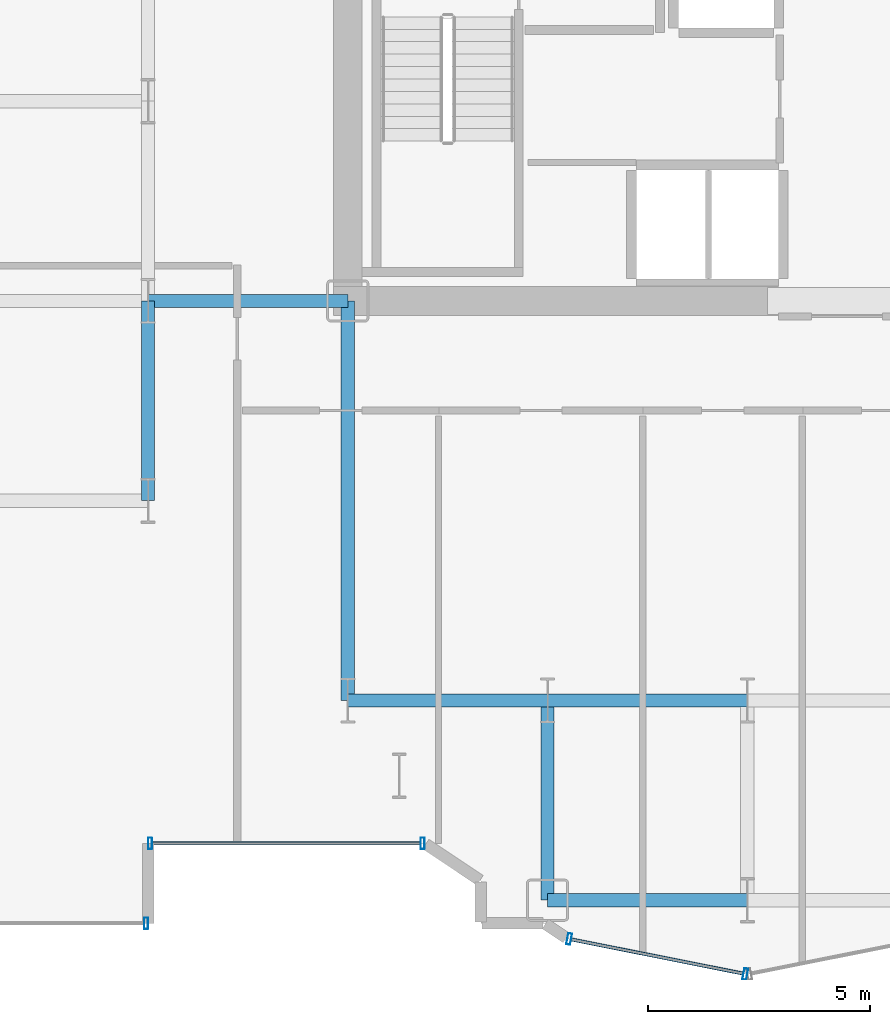
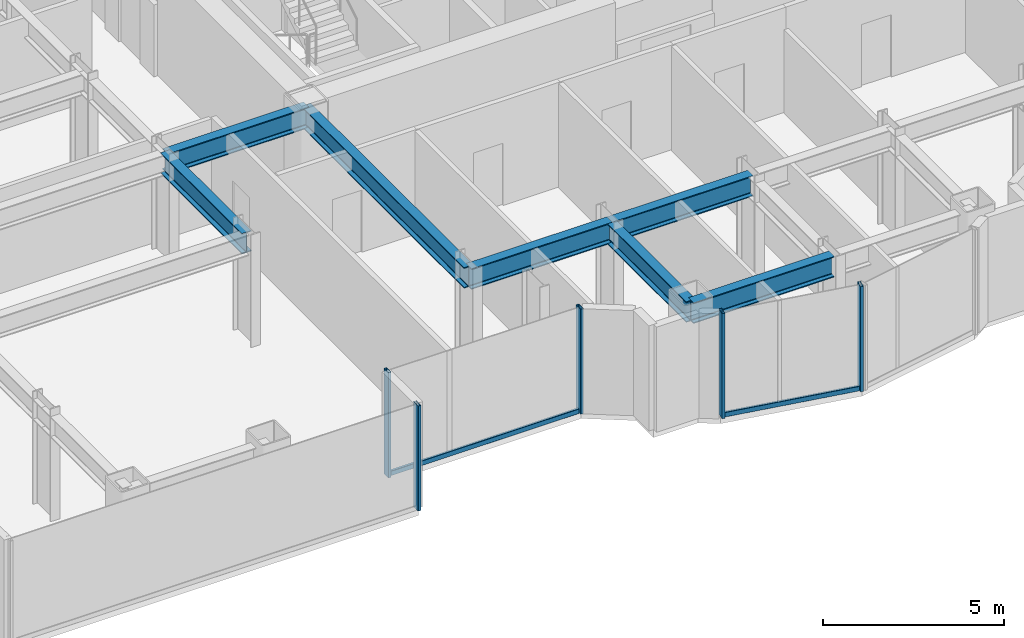
# One storey, part 4 of 26: 7 beams, 7 members, 3 elements without a shape of their own.
"""IFC4 building model written with IfcOpenShell, lengths in metres."""

from ifc_helpers import new_model, si_unit, direction, frame, origin, origin_2d, place, context, subcontext, project, spatial, hollow_rectangle, i_section, extrude, source, transform, mapped, material, layer, layer_set, material_profile, profile_set, type_object, element, aggregate, save


model = new_model("IFC4")

# Units and contexts
model_context = context("Model", 3, precision=1e-05, world=origin(), true_north=direction((0.0, 1.0)))
body_context = subcontext(model_context, "Body", "Model", "MODEL_VIEW")
ifc_project = project(units=[si_unit("LENGTHUNIT", "METRE"), si_unit("AREAUNIT", "SQUARE_METRE"), si_unit("VOLUMEUNIT", "CUBIC_METRE"), si_unit("PLANEANGLEUNIT", "RADIAN"), si_unit("MASSUNIT", "GRAM", prefix="KILO")], contexts=[model_context])

# Site, building, storey
site_placement = place(None, origin())
site = spatial("IfcSite", under=ifc_project, at=site_placement, CompositionType="ELEMENT")
building_placement = place(site_placement, origin())
building = spatial("IfcBuilding", under=site, at=building_placement, Name="Nefas-Gora Pilgrimage Tower", CompositionType="ELEMENT")
storey_placement = place(building_placement, frame((0.0, 0.0, 36.800048828125)))
storey = spatial("IfcBuildingStorey", under=building, at=storey_placement, Name="L07", CompositionType="ELEMENT", Elevation=36.800048828125)

# Beams
ifc_material_1 = material(Name="Steel S355", Category="steel")
ifc_material_profile_1 = material_profile(ifc_material_1, i_section(OverallWidth=0.300048828125, OverallDepth=0.699951171875, WebThickness=0.01708984375, FlangeThickness=0.031982421875, FilletRadius=0.027099609375, at=origin_2d()), Name="HEB 700")
ifc_profile_set_1 = profile_set([ifc_material_profile_1], Name="Steel S355")
beam_type = type_object("IfcBeamType", Name="BM-GIR-HEB700", PredefinedType="BEAM", material=ifc_profile_set_1)
shared_shape_1 = source(origin(), body_context, "Body", "SweptSolid", [
    extrude(i_section(OverallWidth=0.300048828125, OverallDepth=0.699951171875, WebThickness=0.01708984375, FlangeThickness=0.031982421875, FilletRadius=0.027099609375, at=origin_2d()), origin(), (0.0, 0.0, 1.0), 9.0),
])
beam_placement = place(storey_placement, frame((-11.25, -18.0, 3.199951171875), z_axis=(0.0, 1.0, 0.0), x_axis=(-1.0, 0.0, 0.0)))
element("IfcBeam", 1, at=beam_placement, inside=storey, type_object=beam_type, Name="L07 G-02 beam", PredefinedType="BEAM", context=body_context, shape_type="MappedRepresentation", body=[
    mapped(shared_shape_1, transform((0.0, 0.0, 0.0), x_axis=(1.0, 0.0, 0.0), y_axis=(0.0, 1.0, 0.0), z_axis=(0.0, 0.0, 1.0), scale=1.0)),
])
shared_shape_2 = source(origin(), body_context, "Body", "SweptSolid", [
    extrude(i_section(OverallWidth=0.300048828125, OverallDepth=0.699951171875, WebThickness=0.01708984375, FlangeThickness=0.031982421875, FilletRadius=0.027099609375, at=origin_2d()), origin(), (0.0, 0.0, 1.0), 4.5),
])
for number, where, z_axis, x_axis, name in (
    (2, (-15.75, -13.5, 3.199951171875), (0.0, 1.0, 0.0), (-1.0, 0.0, 0.0), "L07 G-02 beam"),
    (3, (-15.75, -9.0, 3.199951171875), (1.0, 0.0, 0.0), (0.0, 1.0, 0.0), "L07 G-02 beam"),
    (4, (-11.25, -18.0, 3.199951171875), (1.0, 0.0, 0.0), (0.0, 1.0, 0.0), "L07 G-02 beam"),
    (5, (-6.75, -22.5, 3.199951171875), (0.0, 1.0, 0.0), (-1.0, 0.0, 0.0), "L07 G-02 beam"),
    (6, (-6.75, -22.5, 3.199951171875), (1.0, 0.0, 0.0), (0.0, 1.0, 0.0), "L07 G-02 beam"),
    (7, (-6.75, -18.0, 3.199951171875), (1.0, 0.0, 0.0), (0.0, 1.0, 0.0), "L07 G-02 beam"),
):
    element("IfcBeam", number, at=place(storey_placement, frame(where, z_axis=z_axis, x_axis=x_axis)), inside=storey, type_object=beam_type, Name=name, PredefinedType="BEAM", context=body_context, shape_type="MappedRepresentation", body=[
        mapped(shared_shape_2, transform((0.0, 0.0, 0.0), x_axis=(1.0, 0.0, 0.0), y_axis=(0.0, 1.0, 0.0), z_axis=(0.0, 0.0, 1.0), scale=1.0)),
    ])

# Curtain wall, members
ifc_material_2 = material(Name="Dark ceramic-fritted solar-control aluminium-glass curtain wall", Category="aluminium")
ifc_layer_1 = layer(ifc_material_2, 0.219970703125)
ifc_layer_set_1 = layer_set([ifc_layer_1], Name="Dark ceramic-fritted solar-control aluminium-glass curtain wall")
curtain_wall_type_1 = type_object("IfcCurtainWallType", Name="CW-SYS-5", PredefinedType="NOTDEFINED", material=ifc_layer_set_1)
curtain_wall_1_placement = place(storey_placement, origin())
curtain_wall_1 = element("IfcCurtainWall", 8, at=curtain_wall_1_placement, inside=storey, type_object=curtain_wall_type_1, Name="L07 Unitised Curtain Wall CW5", PredefinedType="NOTDEFINED")
ifc_material_3 = material(Name="Anodised architectural aluminium", Category="aluminium")
ifc_material_profile_2 = material_profile(ifc_material_3, hollow_rectangle(XDim=0.090087890625, YDim=0.260009765625, WallThickness=0.006103515625, InnerFilletRadius=0.006103515625, OuterFilletRadius=0.011962890625, at=origin_2d()), Name="ALU MULLION 90x260")
ifc_profile_set_2 = profile_set([ifc_material_profile_2], Name="Anodised architectural aluminium")
member_type_1 = type_object("IfcMemberType", Name="CWM-MUL-5", PredefinedType="MULLION", material=ifc_profile_set_2)
shared_shape_3 = source(origin(), body_context, "Body", "SweptSolid", [
    extrude(hollow_rectangle(XDim=0.090087890625, YDim=0.260009765625, WallThickness=0.006103515625, InnerFilletRadius=0.006103515625, OuterFilletRadius=0.011962890625, at=origin_2d()), origin(), (0.0, 0.0, 1.0), 3.550048828125),
])
member_1_placement = place(storey_placement, frame((-15.705078125, -21.219970703125, 0.0), z_axis=(0.0, 0.0, 1.0), x_axis=(1.0, 0.0, 0.0)))
member_1 = element("IfcMember", 9, at=member_1_placement, type_object=member_type_1, Name="CW5 Mullion 1", PredefinedType="MULLION", context=body_context, shape_type="MappedRepresentation", body=[
    mapped(shared_shape_3, transform((0.0, 0.0, 0.0), x_axis=(1.0, 0.0, 0.0), y_axis=(0.0, 1.0, 0.0), z_axis=(0.0, 0.0, 1.0), scale=1.0)),
])
member_2_placement = place(storey_placement, frame((-9.56298828125, -21.219970703125, 0.0), z_axis=(0.0, 0.0, 1.0), x_axis=(1.0, 0.0, 0.0)))
member_2 = element("IfcMember", 10, at=member_2_placement, type_object=member_type_1, Name="CW5 Mullion 2", PredefinedType="MULLION", context=body_context, shape_type="MappedRepresentation", body=[
    mapped(shared_shape_3, transform((0.0, 0.0, 0.0), x_axis=(1.0, 0.0, 0.0), y_axis=(0.0, 1.0, 0.0), z_axis=(0.0, 0.0, 1.0), scale=1.0)),
])

curtain_wall_2_placement = place(storey_placement, origin())
curtain_wall_2 = element("IfcCurtainWall", 11, at=curtain_wall_2_placement, inside=storey, type_object=curtain_wall_type_1, Name="L07 Unitised Curtain Wall CW5", PredefinedType="NOTDEFINED")
member_3_placement = place(storey_placement, frame((-6.26318359375, -23.3740234375, 0.0), z_axis=(0.0, 0.0, 1.0), x_axis=(0.980782896852, -0.195102304554, 0.0)))
member_3 = element("IfcMember", 12, at=member_3_placement, type_object=member_type_1, Name="CW5 Mullion 1", PredefinedType="MULLION", context=body_context, shape_type="MappedRepresentation", body=[
    mapped(shared_shape_3, transform((0.0, 0.0, 0.0), x_axis=(1.0, 0.0, 0.0), y_axis=(0.0, 1.0, 0.0), z_axis=(0.0, 0.0, 1.0), scale=1.0)),
])
member_4_placement = place(storey_placement, frame((-2.294189453125, -24.16357421875, 0.0), z_axis=(0.0, 0.0, 1.0), x_axis=(0.980782896852, -0.195102304554, 0.0)))
member_4 = element("IfcMember", 13, at=member_4_placement, type_object=member_type_1, Name="CW5 Mullion 2", PredefinedType="MULLION", context=body_context, shape_type="MappedRepresentation", body=[
    mapped(shared_shape_3, transform((0.0, 0.0, 0.0), x_axis=(1.0, 0.0, 0.0), y_axis=(0.0, 1.0, 0.0), z_axis=(0.0, 0.0, 1.0), scale=1.0)),
])

# Member
ifc_material_profile_3 = material_profile(ifc_material_3, hollow_rectangle(XDim=0.080078125, YDim=0.159912109375, WallThickness=0.00439453125, InnerFilletRadius=0.00439453125, OuterFilletRadius=0.009033203125, at=origin_2d()), Name="ALU TRANSOM 80x160")
ifc_profile_set_3 = profile_set([ifc_material_profile_3], Name="Anodised architectural aluminium")
member_type_2 = type_object("IfcMemberType", Name="CWM-TRN-5", PredefinedType="USERDEFINED", material=ifc_profile_set_3)
shared_shape_4 = source(origin(), body_context, "Body", "SweptSolid", [
    extrude(hollow_rectangle(XDim=0.080078125, YDim=0.159912109375, WallThickness=0.00439453125, InnerFilletRadius=0.00439453125, OuterFilletRadius=0.009033203125, at=origin_2d()), origin(), (0.0, 0.0, 1.0), 6.052001953125),
])
member_5_placement = place(storey_placement, frame((-15.659912109375, -21.219970703125, 0.050048828125), z_axis=(1.0, 0.0, 0.0), x_axis=(0.0, 1.0, 0.0)))
member_5 = element("IfcMember", 14, at=member_5_placement, type_object=member_type_2, Name="CW5 Spandrel Transom", ObjectType="TRANSOM", PredefinedType="USERDEFINED", context=body_context, shape_type="MappedRepresentation", body=[
    mapped(shared_shape_4, transform((0.0, 0.0, 0.0), x_axis=(1.0, 0.0, 0.0), y_axis=(0.0, 1.0, 0.0), z_axis=(0.0, 0.0, 1.0), scale=1.0)),
])

aggregate(curtain_wall_1, [member_1, member_2, member_5])

# Curtain wall, member
ifc_layer_2 = layer(ifc_material_2, 0.219970703125)
ifc_layer_set_2 = layer_set([ifc_layer_2], Name="Dark ceramic-fritted solar-control aluminium-glass curtain wall")
curtain_wall_type_2 = type_object("IfcCurtainWallType", Name="CW-SYS-2", PredefinedType="NOTDEFINED", material=ifc_layer_set_2)
curtain_wall_3_placement = place(storey_placement, origin())
curtain_wall_3 = element("IfcCurtainWall", 15, at=curtain_wall_3_placement, inside=storey, type_object=curtain_wall_type_2, Name="L07 Unitised Curtain Wall CW2", PredefinedType="NOTDEFINED")
ifc_material_profile_4 = material_profile(ifc_material_3, hollow_rectangle(XDim=0.090087890625, YDim=0.260009765625, WallThickness=0.006103515625, InnerFilletRadius=0.006103515625, OuterFilletRadius=0.011962890625, at=origin_2d()), Name="ALU MULLION 90x260")
ifc_profile_set_4 = profile_set([ifc_material_profile_4], Name="Anodised architectural aluminium")
member_type_3 = type_object("IfcMemberType", Name="CWM-MUL-2", PredefinedType="MULLION", material=ifc_profile_set_4)
shared_shape_5 = source(origin(), body_context, "Body", "SweptSolid", [
    extrude(hollow_rectangle(XDim=0.090087890625, YDim=0.260009765625, WallThickness=0.006103515625, InnerFilletRadius=0.006103515625, OuterFilletRadius=0.011962890625, at=origin_2d()), origin(), (0.0, 0.0, 1.0), 3.550048828125),
])
member_6_placement = place(storey_placement, frame((-15.794921875, -23.02001953125, 0.0), z_axis=(0.0, 0.0, 1.0), x_axis=(1.0, 0.0, 0.0)))
member_6 = element("IfcMember", 16, at=member_6_placement, type_object=member_type_3, Name="CW2 Mullion 2", PredefinedType="MULLION", context=body_context, shape_type="MappedRepresentation", body=[
    mapped(shared_shape_5, transform((0.0, 0.0, 0.0), x_axis=(1.0, 0.0, 0.0), y_axis=(0.0, 1.0, 0.0), z_axis=(0.0, 0.0, 1.0), scale=1.0)),
])
aggregate(curtain_wall_3, [member_6])

# Member
shared_shape_6 = source(origin(), body_context, "Body", "SweptSolid", [
    extrude(hollow_rectangle(XDim=0.080078125, YDim=0.159912109375, WallThickness=0.00439453125, InnerFilletRadius=0.00439453125, OuterFilletRadius=0.009033203125, at=origin_2d()), origin(), (0.0, 0.0, 1.0), 3.95654296875),
])
member_7_placement = place(storey_placement, frame((-6.218994140625, -23.3828125, 0.050048828125), z_axis=(0.980781880918, -0.195107411605, 0.0), x_axis=(0.195107411605, 0.980781880918, 0.0)))
member_7 = element("IfcMember", 17, at=member_7_placement, type_object=member_type_2, Name="CW5 Spandrel Transom", ObjectType="TRANSOM", PredefinedType="USERDEFINED", context=body_context, shape_type="MappedRepresentation", body=[
    mapped(shared_shape_6, transform((0.0, 0.0, 0.0), x_axis=(1.0, 0.0, 0.0), y_axis=(0.0, 1.0, 0.0), z_axis=(0.0, 0.0, 1.0), scale=1.0)),
])

aggregate(curtain_wall_2, [member_3, member_4, member_7])

save(model, "model.ifc")
